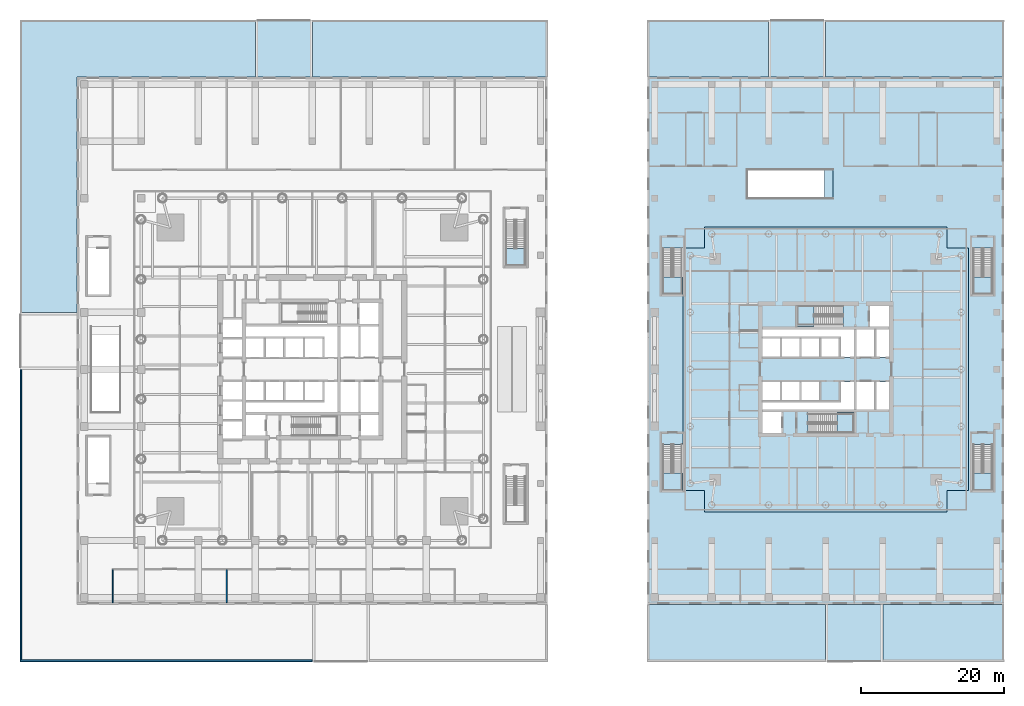
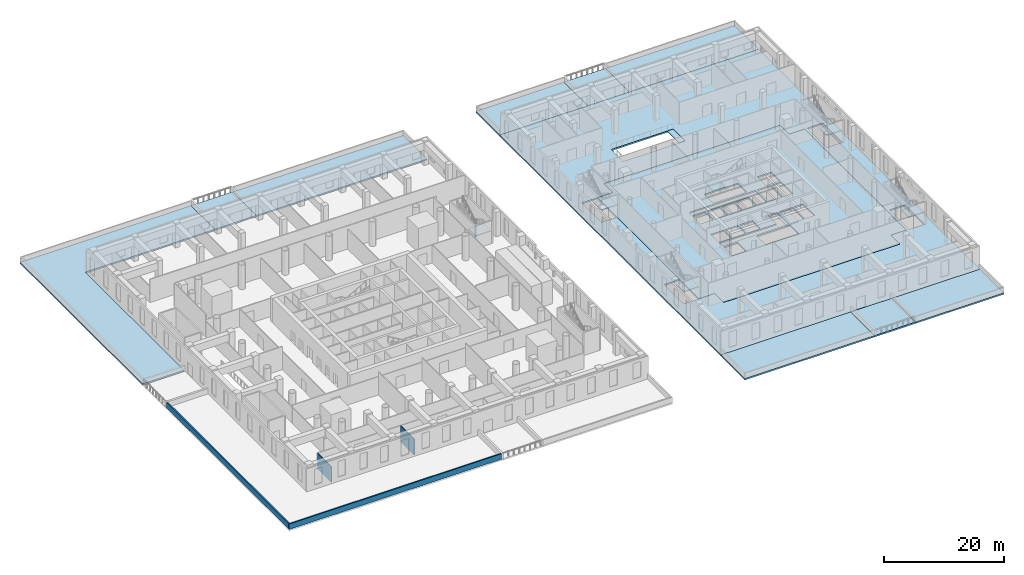
# One storey, part 7 of 26: 18 slabs, 4 walls, 1 plate, 7 elements without a shape of their own.
"""IFC4 building model written with IfcOpenShell, lengths in metres."""

from ifc_helpers import new_model, si_unit, direction, frame, frame_2d, origin, origin_2d, place, context, subcontext, project, spatial, polyline, rectangle, outline, extrude, material, layer, layer_set, type_object, element, aggregate, save


model = new_model("IFC4")

# Units and contexts
model_context = context("Model", 3, precision=1e-05, world=origin(), true_north=direction((0.0, 1.0)))
body_context = subcontext(model_context, "Body", "Model", "MODEL_VIEW")
ifc_project = project(units=[si_unit("LENGTHUNIT", "METRE"), si_unit("AREAUNIT", "SQUARE_METRE"), si_unit("VOLUMEUNIT", "CUBIC_METRE"), si_unit("PLANEANGLEUNIT", "RADIAN"), si_unit("MASSUNIT", "GRAM", prefix="KILO")], contexts=[model_context])

# Site, building, storey
site_placement = place(None, origin())
site = spatial("IfcSite", under=ifc_project, at=site_placement, CompositionType="ELEMENT")
building_placement = place(site_placement, origin())
building = spatial("IfcBuilding", under=site, at=building_placement, Name="Ostroluk Exchange", CompositionType="ELEMENT")
storey_placement = place(building_placement, frame((0.0, 0.0, 6.0)))
storey = spatial("IfcBuildingStorey", under=building, at=storey_placement, Name="L01", CompositionType="ELEMENT", Elevation=6.0)

# Plate
ifc_material_1 = material(Name="Steel chequer plate", Category="steel")
ifc_layer_1 = layer(ifc_material_1, 0.10009765625)
ifc_layer_set_1 = layer_set([ifc_layer_1], Name="Escalator landing plate")
plate_type = type_object("IfcPlateType", Name="Escalator landing plate", PredefinedType="USERDEFINED", material=ifc_layer_set_1)
plate_placement = place(storey_placement, frame((117.39990234375, 72.0, -0.10009765625), z_axis=(0.0, 0.0, 1.0), x_axis=(1.0, 0.0, 0.0)))
element("IfcPlate", 1, at=plate_placement, inside=storey, type_object=plate_type, Name="Escalator ES5 landing plate", ObjectType="ESCALATOR LANDING PLATE", PredefinedType="USERDEFINED", context=body_context, shape_type="SweptSolid", body=[
    extrude(rectangle(XDim=1.199951171875, YDim=4.0, at=origin_2d()), origin(), (0.0, 0.0, 1.0), 0.10009765625),
])

# Slabs
ifc_material_2 = material(Name="Concrete C35/45", Category="concrete")
ifc_layer_2 = layer(ifc_material_2, 0.300048828125)
ifc_layer_set_2 = layer_set([ifc_layer_2], Name="Extensive green roof slab 300")
slab_type_1 = type_object("IfcSlabType", Name="Extensive green roof slab 300", PredefinedType="ROOF", material=ifc_layer_set_2)
slab_1_placement = place(storey_placement, frame((0.0, 0.0, -0.300048828125)))
element("IfcSlab", 2, at=slab_1_placement, inside=storey, type_object=slab_type_1, Name="Green roof slab L01 west", PredefinedType="ROOF", context=body_context, shape_type="SweptSolid", body=[
    extrude(outline(polyline([(4.0, 95.0), (37.0, 95.0), (37.0, 87.0), (12.0, 87.0), (12.0, 54.0), (4.0, 54.0), (4.0, 95.0)])), origin(), (0.0, 0.0, 1.0), 0.300048828125),
])
slab_2_placement = place(storey_placement, frame((0.0, 0.0, -0.300048828125)))
element("IfcSlab", 3, at=slab_2_placement, inside=storey, type_object=slab_type_1, Name="Green roof slab L01 west", PredefinedType="ROOF", context=body_context, shape_type="SweptSolid", body=[
    extrude(outline(polyline([(78.0, 95.0), (78.0, 87.0), (45.0, 87.0), (45.0, 95.0), (78.0, 95.0)])), origin(), (0.0, 0.0, 1.0), 0.300048828125),
])
slab_3_placement = place(storey_placement, frame((0.0, 0.0, -0.300048828125)))
element("IfcSlab", 4, at=slab_3_placement, inside=storey, type_object=slab_type_1, Name="Green roof slab L01 east", PredefinedType="ROOF", context=body_context, shape_type="SweptSolid", body=[
    extrude(outline(polyline([(92.0, 13.0), (117.0, 13.0), (117.0, 5.0), (92.0, 5.0), (92.0, 13.0)])), origin(), (0.0, 0.0, 1.0), 0.300048828125),
])
slab_4_placement = place(storey_placement, frame((0.0, 0.0, -0.300048828125)))
element("IfcSlab", 5, at=slab_4_placement, inside=storey, type_object=slab_type_1, Name="Green roof slab L01 east", PredefinedType="ROOF", context=body_context, shape_type="SweptSolid", body=[
    extrude(outline(polyline([(142.0, 13.0), (142.0, 5.0), (125.0, 5.0), (125.0, 13.0), (142.0, 13.0)])), origin(), (0.0, 0.0, 1.0), 0.300048828125),
])
slab_5_placement = place(storey_placement, frame((0.0, 0.0, -0.300048828125)))
element("IfcSlab", 6, at=slab_5_placement, inside=storey, type_object=slab_type_1, Name="Green roof slab L01 east", PredefinedType="ROOF", context=body_context, shape_type="SweptSolid", body=[
    extrude(outline(polyline([(109.0, 95.0), (109.0, 87.0), (92.0, 87.0), (92.0, 95.0), (109.0, 95.0)])), origin(), (0.0, 0.0, 1.0), 0.300048828125),
])
slab_6_placement = place(storey_placement, frame((0.0, 0.0, -0.300048828125)))
element("IfcSlab", 7, at=slab_6_placement, inside=storey, type_object=slab_type_1, Name="Green roof slab L01 east", PredefinedType="ROOF", context=body_context, shape_type="SweptSolid", body=[
    extrude(outline(polyline([(142.0, 95.0), (142.0, 87.0), (117.0, 87.0), (117.0, 95.0), (142.0, 95.0)])), origin(), (0.0, 0.0, 1.0), 0.300048828125),
])
ifc_material_3 = material(Name="Concrete C35/45", Category="concrete")
ifc_layer_3 = layer(ifc_material_3, 0.300048828125)
ifc_layer_set_3 = layer_set([ifc_layer_3], Name="Podium flat slab 300")
slab_type_2 = type_object("IfcSlabType", Name="Podium flat slab 300", PredefinedType="FLOOR", material=ifc_layer_set_3)
slab_7_placement = place(storey_placement, frame((0.0, 0.0, -0.300048828125)))
element("IfcSlab", 8, at=slab_7_placement, inside=storey, type_object=slab_type_2, Name="Podium slab L01 east", PredefinedType="FLOOR", context=body_context, shape_type="SweptSolid", body=[
    extrude(outline(polyline([(92.0, 87.0), (142.0, 87.0), (142.0, 13.0), (92.0, 13.0), (92.0, 87.0)]), holes=[polyline([(94.0, 56.5), (97.0, 56.5), (97.0, 35.489990234375), (94.0, 35.489990234375), (94.0, 29.0), (100.0, 29.0), (100.0, 26.0), (134.0, 26.0), (134.0, 29.0), (137.0, 29.0), (137.0, 63.0), (134.0, 63.0), (134.0, 66.0), (100.0, 66.0), (100.0, 63.0), (97.0, 63.0), (97.0, 62.989990234375), (94.0, 62.989990234375), (94.0, 56.5)]), polyline([(140.5, 35.489990234375), (137.5, 35.489990234375), (137.5, 29.0), (140.5, 29.0), (140.5, 35.489990234375)]), polyline([(140.5, 56.5), (140.5, 62.989990234375), (137.5, 62.989990234375), (137.5, 56.5), (140.5, 56.5)]), polyline([(106.0, 74.0), (106.0, 70.0), (118.0, 70.0), (118.0, 74.0), (106.0, 74.0)])]), origin(), (0.0, 0.0, 1.0), 0.300048828125),
])
ifc_material_4 = material(Name="Concrete C35/45", Category="concrete")
ifc_layer_4 = layer(ifc_material_4, 0.300048828125)
ifc_layer_set_4 = layer_set([ifc_layer_4], Name="Podium terrace slab 300")
slab_type_3 = type_object("IfcSlabType", Name="Podium terrace slab 300", PredefinedType="ROOF", material=ifc_layer_set_4)
slab_8_placement = place(storey_placement, frame((0.0, 0.0, -0.300048828125)))
element("IfcSlab", 9, at=slab_8_placement, inside=storey, type_object=slab_type_3, Name="Terrace slab L01 west", PredefinedType="ROOF", context=body_context, shape_type="SweptSolid", body=[
    extrude(outline(polyline([(45.0, 95.0), (45.0, 87.0), (37.0, 87.0), (37.0, 95.0), (45.0, 95.0)])), origin(), (0.0, 0.0, 1.0), 0.300048828125),
])
slab_9_placement = place(storey_placement, frame((0.0, 0.0, -0.300048828125)))
element("IfcSlab", 10, at=slab_9_placement, inside=storey, type_object=slab_type_3, Name="Terrace slab L01 east", PredefinedType="ROOF", context=body_context, shape_type="SweptSolid", body=[
    extrude(outline(polyline([(125.0, 13.0), (125.0, 5.0), (117.0, 5.0), (117.0, 13.0), (125.0, 13.0)])), origin(), (0.0, 0.0, 1.0), 0.300048828125),
])
slab_10_placement = place(storey_placement, frame((0.0, 0.0, -0.300048828125)))
element("IfcSlab", 11, at=slab_10_placement, inside=storey, type_object=slab_type_3, Name="Terrace slab L01 east", PredefinedType="ROOF", context=body_context, shape_type="SweptSolid", body=[
    extrude(outline(polyline([(117.0, 95.0), (117.0, 87.0), (109.0, 87.0), (109.0, 95.0), (117.0, 95.0)])), origin(), (0.0, 0.0, 1.0), 0.300048828125),
])

# Stair, slab
ifc_material_5 = material(Name="Concrete C30/37", Category="concrete")
stair_type = type_object("IfcStairType", Name="Exit stair half turn 5000", PredefinedType="HALF_TURN_STAIR", material=ifc_material_5)
stair_1_placement = place(storey_placement, origin())
stair_1 = element("IfcStair", 12, at=stair_1_placement, inside=storey, type_object=stair_type, Name="Stair T2-S1 L01", PredefinedType="HALF_TURN_STAIR")
ifc_material_6 = material(Name="Concrete C30/37", Category="concrete")
ifc_layer_5 = layer(ifc_material_6, 0.199951171875)
ifc_layer_set_5 = layer_set([ifc_layer_5], Name="Stair landing 200")
slab_type_4 = type_object("IfcSlabType", Name="Stair landing 200", PredefinedType="LANDING", material=ifc_layer_set_5)
slab_11_placement = place(storey_placement, frame((0.0, 0.0, 2.300048828125)))
slab_11 = element("IfcSlab", 13, at=slab_11_placement, type_object=slab_type_4, Name="T2-S1 landing 1", PredefinedType="LANDING", context=body_context, shape_type="SweptSolid", body=[
    extrude(outline(polyline([(118.56005859375, 37.10009765625), (118.56005859375, 40.0), (120.929931640625, 40.0), (120.929931640625, 37.10009765625), (118.56005859375, 37.10009765625)])), origin(), (0.0, 0.0, 1.0), 0.199951171875),
])
aggregate(stair_1, [slab_11])

stair_2_placement = place(storey_placement, origin())
stair_2 = element("IfcStair", 14, at=stair_2_placement, inside=storey, type_object=stair_type, Name="Stair T2-S2 L01", PredefinedType="HALF_TURN_STAIR")
slab_12_placement = place(storey_placement, frame((0.0, 0.0, 2.300048828125)))
slab_12 = element("IfcSlab", 15, at=slab_12_placement, type_object=slab_type_4, Name="T2-S2 landing 1", PredefinedType="LANDING", context=body_context, shape_type="SweptSolid", body=[
    extrude(outline(polyline([(115.3701171875, 52.0), (115.3701171875, 54.89990234375), (113.0, 54.89990234375), (113.0, 52.0), (115.3701171875, 52.0)])), origin(), (0.0, 0.0, 1.0), 0.199951171875),
])
aggregate(stair_2, [slab_12])

stair_3_placement = place(storey_placement, origin())
stair_3 = element("IfcStair", 16, at=stair_3_placement, inside=storey, type_object=stair_type, Name="Stair PS4 L01", PredefinedType="HALF_TURN_STAIR")
slab_13_placement = place(storey_placement, frame((0.0, 0.0, 2.300048828125)))
slab_13 = element("IfcSlab", 17, at=slab_13_placement, type_object=slab_type_4, Name="PS4 landing 1", PredefinedType="LANDING", context=body_context, shape_type="SweptSolid", body=[
    extrude(outline(polyline([(72.0, 62.93994140625), (75.0, 62.93994140625), (75.0, 60.5), (72.0, 60.5), (72.0, 62.93994140625)])), origin(), (0.0, 0.0, 1.0), 0.199951171875),
])
aggregate(stair_3, [slab_13])

stair_4_placement = place(storey_placement, origin())
stair_4 = element("IfcStair", 18, at=stair_4_placement, inside=storey, type_object=stair_type, Name="Stair PS5 L01", PredefinedType="HALF_TURN_STAIR")
slab_14_placement = place(storey_placement, frame((0.0, 0.0, 2.300048828125)))
slab_14 = element("IfcSlab", 19, at=slab_14_placement, type_object=slab_type_4, Name="PS5 landing 1", PredefinedType="LANDING", context=body_context, shape_type="SweptSolid", body=[
    extrude(outline(polyline([(94.0, 31.43994140625), (97.0, 31.43994140625), (97.0, 29.0), (94.0, 29.0), (94.0, 31.43994140625)])), origin(), (0.0, 0.0, 1.0), 0.199951171875),
])
aggregate(stair_4, [slab_14])

stair_5_placement = place(storey_placement, origin())
stair_5 = element("IfcStair", 20, at=stair_5_placement, inside=storey, type_object=stair_type, Name="Stair PS6 L01", PredefinedType="HALF_TURN_STAIR")
slab_15_placement = place(storey_placement, frame((0.0, 0.0, 2.300048828125)))
slab_15 = element("IfcSlab", 21, at=slab_15_placement, type_object=slab_type_4, Name="PS6 landing 1", PredefinedType="LANDING", context=body_context, shape_type="SweptSolid", body=[
    extrude(outline(polyline([(94.0, 58.93994140625), (97.0, 58.93994140625), (97.0, 56.5), (94.0, 56.5), (94.0, 58.93994140625)])), origin(), (0.0, 0.0, 1.0), 0.199951171875),
])
aggregate(stair_5, [slab_15])

stair_6_placement = place(storey_placement, origin())
stair_6 = element("IfcStair", 22, at=stair_6_placement, inside=storey, type_object=stair_type, Name="Stair PS7 L01", PredefinedType="HALF_TURN_STAIR")
slab_16_placement = place(storey_placement, frame((0.0, 0.0, 2.300048828125)))
slab_16 = element("IfcSlab", 23, at=slab_16_placement, type_object=slab_type_4, Name="PS7 landing 1", PredefinedType="LANDING", context=body_context, shape_type="SweptSolid", body=[
    extrude(outline(polyline([(137.5, 31.43994140625), (140.5, 31.43994140625), (140.5, 29.0), (137.5, 29.0), (137.5, 31.43994140625)])), origin(), (0.0, 0.0, 1.0), 0.199951171875),
])
aggregate(stair_6, [slab_16])

stair_7_placement = place(storey_placement, origin())
stair_7 = element("IfcStair", 24, at=stair_7_placement, inside=storey, type_object=stair_type, Name="Stair PS8 L01", PredefinedType="HALF_TURN_STAIR")
slab_17_placement = place(storey_placement, frame((0.0, 0.0, 2.300048828125)))
slab_17 = element("IfcSlab", 25, at=slab_17_placement, type_object=slab_type_4, Name="PS8 landing 1", PredefinedType="LANDING", context=body_context, shape_type="SweptSolid", body=[
    extrude(outline(polyline([(137.5, 58.93994140625), (140.5, 58.93994140625), (140.5, 56.5), (137.5, 56.5), (137.5, 58.93994140625)])), origin(), (0.0, 0.0, 1.0), 0.199951171875),
])
aggregate(stair_7, [slab_17])

# Slab
ifc_material_7 = material(Name="Concrete C35/45", Category="concrete")
ifc_layer_6 = layer(ifc_material_7, 0.300048828125)
ifc_layer_set_6 = layer_set([ifc_layer_6], Name="Tower floor slab 300")
slab_type_5 = type_object("IfcSlabType", Name="Tower floor slab 300", PredefinedType="FLOOR", material=ifc_layer_set_6)
slab_18_placement = place(storey_placement, frame((0.0, 0.0, -0.300048828125)))
element("IfcSlab", 26, at=slab_18_placement, inside=storey, type_object=slab_type_5, Name="Hotel tower floor slab L01", PredefinedType="FLOOR", context=body_context, shape_type="SweptSolid", body=[
    extrude(outline(polyline([(100.0, 26.0), (134.0, 26.0), (134.0, 29.0), (137.0, 29.0), (137.0, 63.0), (134.0, 63.0), (134.0, 66.0), (100.0, 66.0), (100.0, 63.0), (97.0, 63.0), (97.0, 29.0), (100.0, 29.0), (100.0, 26.0)]), holes=[polyline([(108.10009765625, 37.10009765625), (110.800048828125, 37.10009765625), (110.800048828125, 40.0), (108.10009765625, 40.0), (108.10009765625, 37.10009765625)]), polyline([(114.510009765625, 37.10009765625), (120.929931640625, 37.10009765625), (120.929931640625, 40.0), (114.510009765625, 40.0), (114.510009765625, 37.10009765625)]), polyline([(113.0, 52.0), (119.419921875, 52.0), (119.419921875, 54.89990234375), (113.0, 54.89990234375), (113.0, 52.0)]), polyline([(123.199951171875, 52.0), (125.89990234375, 52.0), (125.89990234375, 54.89990234375), (123.199951171875, 54.89990234375), (123.199951171875, 52.0)]), polyline([(108.10009765625, 47.75), (110.60009765625, 47.75), (110.60009765625, 50.35009765625), (108.10009765625, 50.35009765625), (108.10009765625, 47.75)]), polyline([(110.85009765625, 47.75), (113.35009765625, 47.75), (113.35009765625, 50.35009765625), (110.85009765625, 50.35009765625), (110.85009765625, 47.75)]), polyline([(113.60009765625, 47.75), (116.10009765625, 47.75), (116.10009765625, 50.35009765625), (113.60009765625, 50.35009765625), (113.60009765625, 47.75)]), polyline([(116.35009765625, 47.75), (118.85009765625, 47.75), (118.85009765625, 50.35009765625), (116.35009765625, 50.35009765625), (116.35009765625, 47.75)]), polyline([(108.10009765625, 41.64990234375), (110.60009765625, 41.64990234375), (110.60009765625, 44.25), (108.10009765625, 44.25), (108.10009765625, 41.64990234375)]), polyline([(110.85009765625, 41.64990234375), (113.35009765625, 41.64990234375), (113.35009765625, 44.25), (110.85009765625, 44.25), (110.85009765625, 41.64990234375)]), polyline([(113.60009765625, 41.64990234375), (116.10009765625, 41.64990234375), (116.10009765625, 44.25), (113.60009765625, 44.25), (113.60009765625, 41.64990234375)]), polyline([(121.330078125, 47.75), (123.830078125, 47.75), (123.830078125, 51.60009765625), (121.330078125, 51.60009765625), (121.330078125, 47.75)]), polyline([(121.330078125, 40.39990234375), (123.830078125, 40.39990234375), (123.830078125, 44.25), (121.330078125, 44.25), (121.330078125, 40.39990234375)]), polyline([(120.929931640625, 51.60009765625), (120.929931640625, 47.75), (119.10009765625, 47.75), (119.10009765625, 50.60009765625), (108.10009765625, 50.60009765625), (108.10009765625, 51.60009765625), (120.929931640625, 51.60009765625)]), polyline([(108.10009765625, 40.39990234375), (108.10009765625, 41.39990234375), (119.10009765625, 41.39990234375), (119.10009765625, 44.25), (120.929931640625, 44.25), (120.929931640625, 40.39990234375), (108.10009765625, 40.39990234375)]), polyline([(124.080078125, 47.75), (125.89990234375, 47.75), (125.89990234375, 51.60009765625), (124.080078125, 51.60009765625), (124.080078125, 47.75)]), polyline([(124.080078125, 40.39990234375), (125.89990234375, 40.39990234375), (125.89990234375, 44.25), (124.080078125, 44.25), (124.080078125, 40.39990234375)])]), origin(), (0.0, 0.0, 1.0), 0.300048828125),
])

# Walls
ifc_material_8 = material(Name="Limestone", Category="masonry")
ifc_layer_7 = layer(ifc_material_8, 0.25)
ifc_layer_set_7 = layer_set([ifc_layer_7], Name="Green roof parapet 250")
wall_type_1 = type_object("IfcWallType", Name="Green roof parapet 250", PredefinedType="PARAPET", material=ifc_layer_set_7)
wall_1_placement = place(storey_placement, frame((4.0, 5.125, 0.0), z_axis=(0.0, 0.0, 1.0), x_axis=(1.0, 0.0, 0.0)))
element("IfcWall", 27, at=wall_1_placement, inside=storey, type_object=wall_type_1, Name="Green roof parapet L01 1", PredefinedType="PARAPET", context=body_context, shape_type="SweptSolid", body=[
    extrude(rectangle(XDim=40.989990234375, YDim=0.25, at=frame_2d((20.4951171875, 0.0))), origin(), (0.0, 0.0, 1.0), 1.10009765625),
])
wall_2_placement = place(storey_placement, frame((4.125, 5.25, 0.0), z_axis=(0.0, 0.0, 1.0), x_axis=(0.0, 1.0, 0.0)))
element("IfcWall", 28, at=wall_2_placement, inside=storey, type_object=wall_type_1, Name="Green roof parapet L01 2", PredefinedType="PARAPET", context=body_context, shape_type="SweptSolid", body=[
    extrude(rectangle(XDim=40.739990234375, YDim=0.25, at=frame_2d((20.3701171875, 0.0))), origin(), (0.0, 0.0, 1.0), 1.10009765625),
])
ifc_material_9 = material(Name="Gypsum plasterboard partition", Category="gypsum")
ifc_layer_8 = layer(ifc_material_9, 0.14990234375)
ifc_layer_set_8 = layer_set([ifc_layer_8], Name="Plasterboard partition 150")
wall_type_2 = type_object("IfcWallType", Name="Plasterboard partition 150", PredefinedType="PARTITIONING", material=ifc_layer_set_8)
for number, where, z_axis, x_axis, name in (
    (29, (17.0, 17.925048828125, 0.0), (0.0, 0.0, 1.0), (0.0, -1.0, 0.0), "Partition"),
    (30, (33.0, 17.925048828125, 0.0), (0.0, 0.0, 1.0), (0.0, -1.0, 0.0), "Partition"),
):
    element("IfcWall", number, at=place(storey_placement, frame(where, z_axis=z_axis, x_axis=x_axis)), inside=storey, type_object=wall_type_2, Name=name, PredefinedType="PARTITIONING", context=body_context, shape_type="SweptSolid", body=[
        extrude(rectangle(XDim=4.625, YDim=0.14990234375, at=frame_2d((2.3125, 0.0))), origin(), (0.0, 0.0, 1.0), 3.199951171875),
    ])

save(model, "model.ifc")
